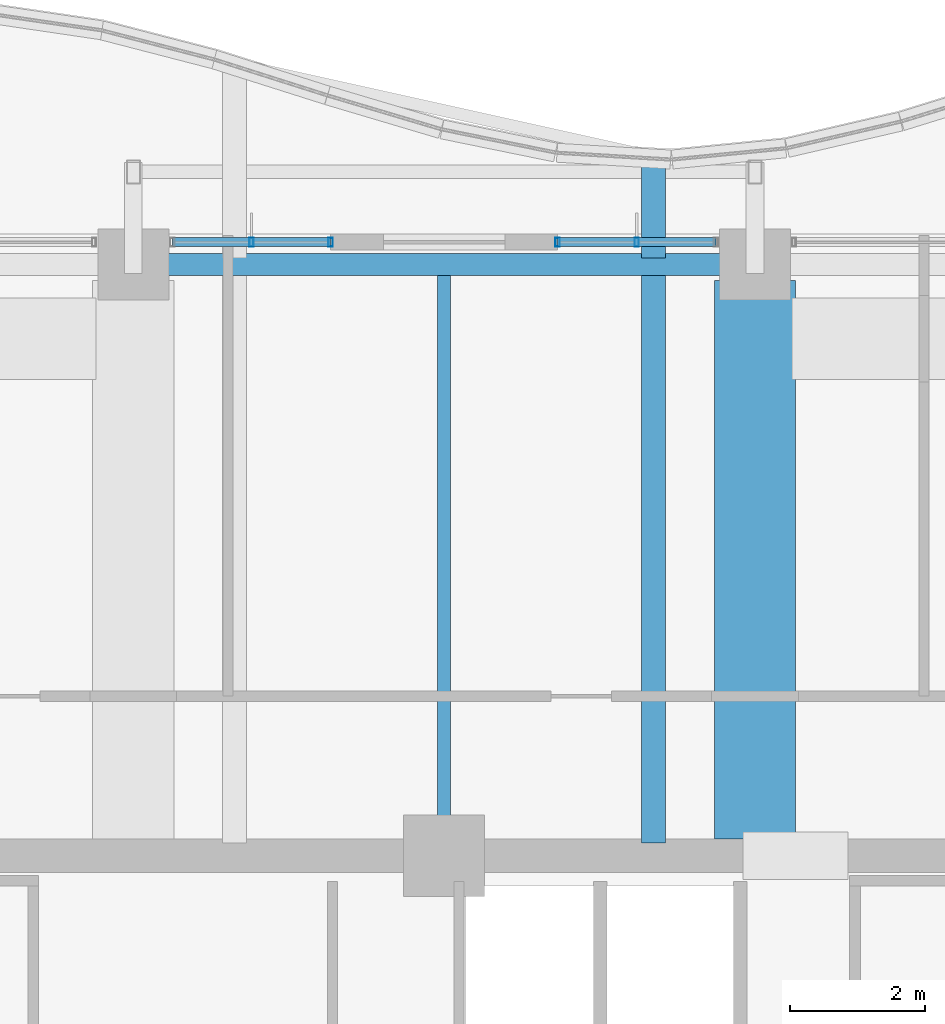
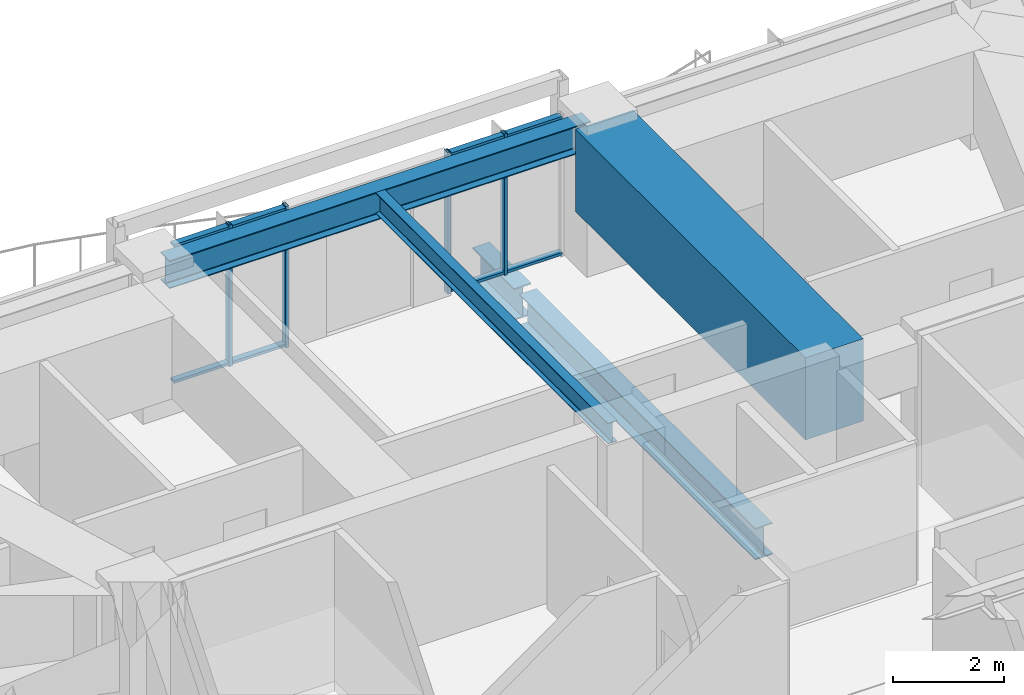
# One storey, part 16 of 28: 8 members, 5 beams, 2 elements without a shape of their own.
"""IFC4 building model written with IfcOpenShell, lengths in metres."""

from ifc_helpers import new_model, si_unit, direction, frame, origin, origin_2d, place, context, subcontext, project, spatial, rectangle, hollow_rectangle, i_section, extrude, material, material_profile, profile_set, type_object, element, aggregate, save


model = new_model("IFC4")

# Units and contexts
model_context = context("Model", 3, precision=1e-05, world=origin(), true_north=direction((0.0, 1.0)))
body_context = subcontext(model_context, "Body", "Model", "MODEL_VIEW")
ifc_project = project(units=[si_unit("LENGTHUNIT", "METRE"), si_unit("AREAUNIT", "SQUARE_METRE"), si_unit("VOLUMEUNIT", "CUBIC_METRE"), si_unit("PLANEANGLEUNIT", "RADIAN"), si_unit("MASSUNIT", "GRAM", prefix="KILO")], contexts=[model_context])

# Site, building, storey
site_placement = place(None, origin())
site = spatial("IfcSite", under=ifc_project, at=site_placement, CompositionType="ELEMENT")
building_placement = place(site_placement, origin())
building = spatial("IfcBuilding", under=site, at=building_placement, Name="Kolvaren Belvedere", CompositionType="ELEMENT")
storey_placement = place(building_placement, frame((0.0, 0.0, 125.0)))
storey = spatial("IfcBuildingStorey", under=building, at=storey_placement, Name="L36", CompositionType="ELEMENT", Elevation=125.0)

# Beams
ifc_material_1 = material(Name="Structural steel ASTM A992 Grade 50", Category="steel")
ifc_material_profile_1 = material_profile(ifc_material_1, i_section(OverallWidth=0.35498046875, OverallDepth=0.696044921875, WebThickness=0.015380859375, FlangeThickness=0.02490234375, FilletRadius=0.02197265625, at=origin_2d()), Name="W27X146")
ifc_profile_set_1 = profile_set([ifc_material_profile_1], Name="Structural steel ASTM A992 Grade 50")
beam_type_1 = type_object("IfcBeamType", Name="BM-CANT-BAL", PredefinedType="BEAM", material=ifc_profile_set_1)
beam_1_placement = place(storey_placement, frame((3.10009765625, 18.7451171875, -0.568115234375), z_axis=(0.0, 1.0, 0.0), x_axis=(-1.0, 0.0, 0.0)))
element("IfcBeam", 1, at=beam_1_placement, inside=storey, type_object=beam_type_1, Name="L36 Planted Balcony Cantilever BAL-N-2", PredefinedType="BEAM", context=body_context, shape_type="SweptSolid", body=[
    extrude(i_section(OverallWidth=0.35498046875, OverallDepth=0.696044921875, WebThickness=0.015380859375, FlangeThickness=0.02490234375, FilletRadius=0.02197265625, at=origin_2d()), origin(), (0.0, 0.0, 1.0), 1.49267578125),
])
ifc_material_2 = material(Name="Structural steel ASTM A992 Grade 50", Category="steel")
ifc_material_profile_2 = material_profile(ifc_material_2, i_section(OverallWidth=0.35498046875, OverallDepth=0.696044921875, WebThickness=0.015380859375, FlangeThickness=0.02490234375, FilletRadius=0.02197265625, at=origin_2d()), Name="W27X146")
ifc_profile_set_2 = profile_set([ifc_material_profile_2], Name="Structural steel ASTM A992 Grade 50")
beam_type_2 = type_object("IfcBeamType", Name="BM-GIRD-W27X146", PredefinedType="BEAM", material=ifc_profile_set_2)
beam_2_placement = place(storey_placement, frame((3.10009765625, 10.090087890625, -0.568115234375), z_axis=(0.0, 1.0, 0.0), x_axis=(-1.0, 0.0, 0.0)))
element("IfcBeam", 2, at=beam_2_placement, inside=storey, type_object=beam_type_2, Name="L36 Balcony Interior Back-Span Girder BAL-N-2", PredefinedType="BEAM", context=body_context, shape_type="SweptSolid", body=[
    extrude(i_section(OverallWidth=0.35498046875, OverallDepth=0.696044921875, WebThickness=0.015380859375, FlangeThickness=0.02490234375, FilletRadius=0.02197265625, at=origin_2d()), origin(), (0.0, 0.0, 1.0), 8.46484375),
])
ifc_material_3 = material(Name="Structural steel ASTM A992 Grade 50", Category="steel")
ifc_material_profile_3 = material_profile(ifc_material_3, i_section(OverallWidth=0.19091796875, OverallDepth=0.4599609375, WebThickness=0.010009765625, FlangeThickness=0.01611328125, FilletRadius=0.014892578125, at=origin_2d()), Name="W18X55")
ifc_profile_set_3 = profile_set([ifc_material_profile_3], Name="Structural steel ASTM A992 Grade 50")
beam_type_3 = type_object("IfcBeamType", Name="BM-JOIST-W18X55", PredefinedType="BEAM", material=ifc_profile_set_3)
beam_3_placement = place(storey_placement, frame((0.0, 10.14990234375, 2.8701171875), z_axis=(0.0, 1.0, 0.0), x_axis=(-1.0, 0.0, 0.0)))
element("IfcBeam", 3, at=beam_3_placement, inside=storey, type_object=beam_type_3, Name="L36 North Centre Floor Beam", PredefinedType="BEAM", context=body_context, shape_type="SweptSolid", body=[
    extrude(i_section(OverallWidth=0.19091796875, OverallDepth=0.4599609375, WebThickness=0.010009765625, FlangeThickness=0.01611328125, FilletRadius=0.014892578125, at=origin_2d()), origin(), (0.0, 0.0, 1.0), 8.337646484375),
])
ifc_material_4 = material(Name="Structural steel ASTM A992 Grade 50", Category="steel")
ifc_material_profile_4 = material_profile(ifc_material_4, i_section(OverallWidth=0.324951171875, OverallDepth=0.615966796875, WebThickness=0.013916015625, FlangeThickness=0.021484375, FilletRadius=0.02001953125, at=origin_2d()), Name="W24X117")
ifc_profile_set_4 = profile_set([ifc_material_profile_4], Name="Structural steel ASTM A992 Grade 50")
beam_type_4 = type_object("IfcBeamType", Name="BM-SPAN-W24X117", PredefinedType="SPANDREL", material=ifc_profile_set_4)
beam_4_placement = place(storey_placement, frame((4.36376953125, 18.64990234375, 2.7919921875), z_axis=(-1.0, 0.0, 0.0), x_axis=(0.0, -1.0, 0.0)))
element("IfcBeam", 4, at=beam_4_placement, inside=storey, type_object=beam_type_4, Name="L36 Perimeter Spandrel N3-N2", PredefinedType="SPANDREL", context=body_context, shape_type="SweptSolid", body=[
    extrude(i_section(OverallWidth=0.324951171875, OverallDepth=0.615966796875, WebThickness=0.013916015625, FlangeThickness=0.021484375, FilletRadius=0.02001953125, at=origin_2d()), origin(), (0.0, 0.0, 1.0), 8.7275390625),
])
ifc_material_5 = material(Name="Concrete C50/60", Category="concrete")
ifc_material_profile_5 = material_profile(ifc_material_5, rectangle(XDim=1.199951171875, YDim=1.800048828125, at=origin_2d()), Name="RC 1200X1800")
ifc_profile_set_5 = profile_set([ifc_material_profile_5], Name="Concrete C50/60")
beam_type_5 = type_object("IfcBeamType", Name="BM-TG-1800", PredefinedType="BEAM", material=ifc_profile_set_5)
beam_5_placement = place(storey_placement, frame((4.60009765625, 10.14990234375, 2.199951171875), z_axis=(0.0, 1.0, 0.0), x_axis=(-1.0, 0.0, 0.0)))
element("IfcBeam", 5, at=beam_5_placement, inside=storey, type_object=beam_type_5, Name="L36 North Radial Girder P", PredefinedType="BEAM", context=body_context, shape_type="SweptSolid", body=[
    extrude(rectangle(XDim=1.199951171875, YDim=1.800048828125, at=origin_2d()), origin(), (0.0, 0.0, 1.0), 8.263916015625),
])

# Curtain wall, members
ifc_material_6 = material(Name="Anodised pale-metal aluminium AA 6063-T6", Category="aluminium")
curtain_wall_type = type_object("IfcCurtainWallType", Name="CW-Z3-WAIST", PredefinedType="NOTDEFINED", material=ifc_material_6)
curtain_wall_1_placement = place(storey_placement, origin())
curtain_wall_1 = element("IfcCurtainWall", 6, at=curtain_wall_1_placement, inside=storey, type_object=curtain_wall_type, Name="L36 Unitised Curtain Wall FCW-L36-N1-B2", PredefinedType="NOTDEFINED")
ifc_material_7 = material(Name="Anodised pale-metal aluminium AA 6063-T6", Category="aluminium")
ifc_material_profile_6 = material_profile(ifc_material_7, hollow_rectangle(XDim=0.06494140625, YDim=0.1298828125, WallThickness=0.00390625, at=origin_2d()), Name="ALU-MUL-130X65")
ifc_profile_set_6 = profile_set([ifc_material_profile_6], Name="Anodised pale-metal aluminium AA 6063-T6")
member_type_1 = type_object("IfcMemberType", Name="CW-MUL-130", PredefinedType="MULLION", material=ifc_profile_set_6)
member_1_placement = place(storey_placement, frame((-2.851318359375, 18.97998046875, 0.0), z_axis=(0.0, 0.0, 1.0), x_axis=(1.0, 0.0, 0.0)))
member_1 = element("IfcMember", 7, at=member_1_placement, type_object=member_type_1, Name="FCW-L36-N1-B2 Unitised Mullion 2", PredefinedType="MULLION", context=body_context, shape_type="SweptSolid", body=[
    extrude(hollow_rectangle(XDim=0.06494140625, YDim=0.1298828125, WallThickness=0.00390625, at=origin_2d()), origin(), (0.0, 0.0, 1.0), 3.10009765625),
])
member_2_placement = place(storey_placement, frame((-1.679931640625, 18.97998046875, 0.0), z_axis=(0.0, 0.0, 1.0), x_axis=(1.0, 0.0, 0.0)))
member_2 = element("IfcMember", 8, at=member_2_placement, type_object=member_type_1, Name="FCW-L36-N1-B2 Unitised Mullion 3", PredefinedType="MULLION", context=body_context, shape_type="SweptSolid", body=[
    extrude(hollow_rectangle(XDim=0.06494140625, YDim=0.1298828125, WallThickness=0.00390625, at=origin_2d()), origin(), (0.0, 0.0, 1.0), 3.10009765625),
])

curtain_wall_2_placement = place(storey_placement, origin())
curtain_wall_2 = element("IfcCurtainWall", 9, at=curtain_wall_2_placement, inside=storey, type_object=curtain_wall_type, Name="L36 Unitised Curtain Wall FCW-L36-N2-B1", PredefinedType="NOTDEFINED")
member_3_placement = place(storey_placement, frame((1.679931640625, 18.97998046875, 0.0), z_axis=(0.0, 0.0, 1.0), x_axis=(1.0, 0.0, 0.0)))
member_3 = element("IfcMember", 10, at=member_3_placement, type_object=member_type_1, Name="FCW-L36-N2-B1 Unitised Mullion 1", PredefinedType="MULLION", context=body_context, shape_type="SweptSolid", body=[
    extrude(hollow_rectangle(XDim=0.06494140625, YDim=0.1298828125, WallThickness=0.00390625, at=origin_2d()), origin(), (0.0, 0.0, 1.0), 3.10009765625),
])
member_4_placement = place(storey_placement, frame((2.851318359375, 18.97998046875, 0.0), z_axis=(0.0, 0.0, 1.0), x_axis=(1.0, 0.0, 0.0)))
member_4 = element("IfcMember", 11, at=member_4_placement, type_object=member_type_1, Name="FCW-L36-N2-B1 Unitised Mullion 2", PredefinedType="MULLION", context=body_context, shape_type="SweptSolid", body=[
    extrude(hollow_rectangle(XDim=0.06494140625, YDim=0.1298828125, WallThickness=0.00390625, at=origin_2d()), origin(), (0.0, 0.0, 1.0), 3.10009765625),
])

# Member
ifc_material_8 = material(Name="Anodised pale-metal aluminium AA 6063-T6", Category="aluminium")
ifc_material_profile_7 = material_profile(ifc_material_8, hollow_rectangle(XDim=0.06005859375, YDim=0.1298828125, WallThickness=0.00390625, at=origin_2d()), Name="ALU-TRN-130X60")
ifc_profile_set_7 = profile_set([ifc_material_profile_7], Name="Anodised pale-metal aluminium AA 6063-T6")
member_type_2 = type_object("IfcMemberType", Name="CW-TRN-130", PredefinedType="USERDEFINED", material=ifc_profile_set_7)
member_5_placement = place(storey_placement, frame((-4.0224609375, 18.97998046875, 0.06005859375), z_axis=(1.0, 0.0, 0.0), x_axis=(0.0, 0.0, 1.0)))
member_5 = element("IfcMember", 12, at=member_5_placement, type_object=member_type_2, Name="FCW-L36-N1-B2 Sill Transom", ObjectType="TRANSOM", PredefinedType="USERDEFINED", context=body_context, shape_type="SweptSolid", body=[
    extrude(hollow_rectangle(XDim=0.06005859375, YDim=0.1298828125, WallThickness=0.00390625, at=origin_2d()), origin(), (0.0, 0.0, 1.0), 2.342529296875),
])

member_6_placement = place(storey_placement, frame((-4.0224609375, 18.97998046875, 3.0400390625), z_axis=(1.0, 0.0, 0.0), x_axis=(0.0, 0.0, 1.0)))
member_6 = element("IfcMember", 13, at=member_6_placement, type_object=member_type_2, Name="FCW-L36-N1-B2 Head Transom", ObjectType="TRANSOM", PredefinedType="USERDEFINED", context=body_context, shape_type="SweptSolid", body=[
    extrude(hollow_rectangle(XDim=0.06005859375, YDim=0.1298828125, WallThickness=0.00390625, at=origin_2d()), origin(), (0.0, 0.0, 1.0), 2.342529296875),
])

aggregate(curtain_wall_1, [member_1, member_2, member_5, member_6])

member_7_placement = place(storey_placement, frame((1.679931640625, 18.97998046875, 0.06005859375), z_axis=(1.0, 0.0, 0.0), x_axis=(0.0, 0.0, 1.0)))
member_7 = element("IfcMember", 14, at=member_7_placement, type_object=member_type_2, Name="FCW-L36-N2-B1 Sill Transom", ObjectType="TRANSOM", PredefinedType="USERDEFINED", context=body_context, shape_type="SweptSolid", body=[
    extrude(hollow_rectangle(XDim=0.06005859375, YDim=0.1298828125, WallThickness=0.00390625, at=origin_2d()), origin(), (0.0, 0.0, 1.0), 2.342529296875),
])

member_8_placement = place(storey_placement, frame((1.679931640625, 18.97998046875, 3.0400390625), z_axis=(1.0, 0.0, 0.0), x_axis=(0.0, 0.0, 1.0)))
member_8 = element("IfcMember", 15, at=member_8_placement, type_object=member_type_2, Name="FCW-L36-N2-B1 Head Transom", ObjectType="TRANSOM", PredefinedType="USERDEFINED", context=body_context, shape_type="SweptSolid", body=[
    extrude(hollow_rectangle(XDim=0.06005859375, YDim=0.1298828125, WallThickness=0.00390625, at=origin_2d()), origin(), (0.0, 0.0, 1.0), 2.342529296875),
])

aggregate(curtain_wall_2, [member_3, member_4, member_7, member_8])

save(model, "model.ifc")
